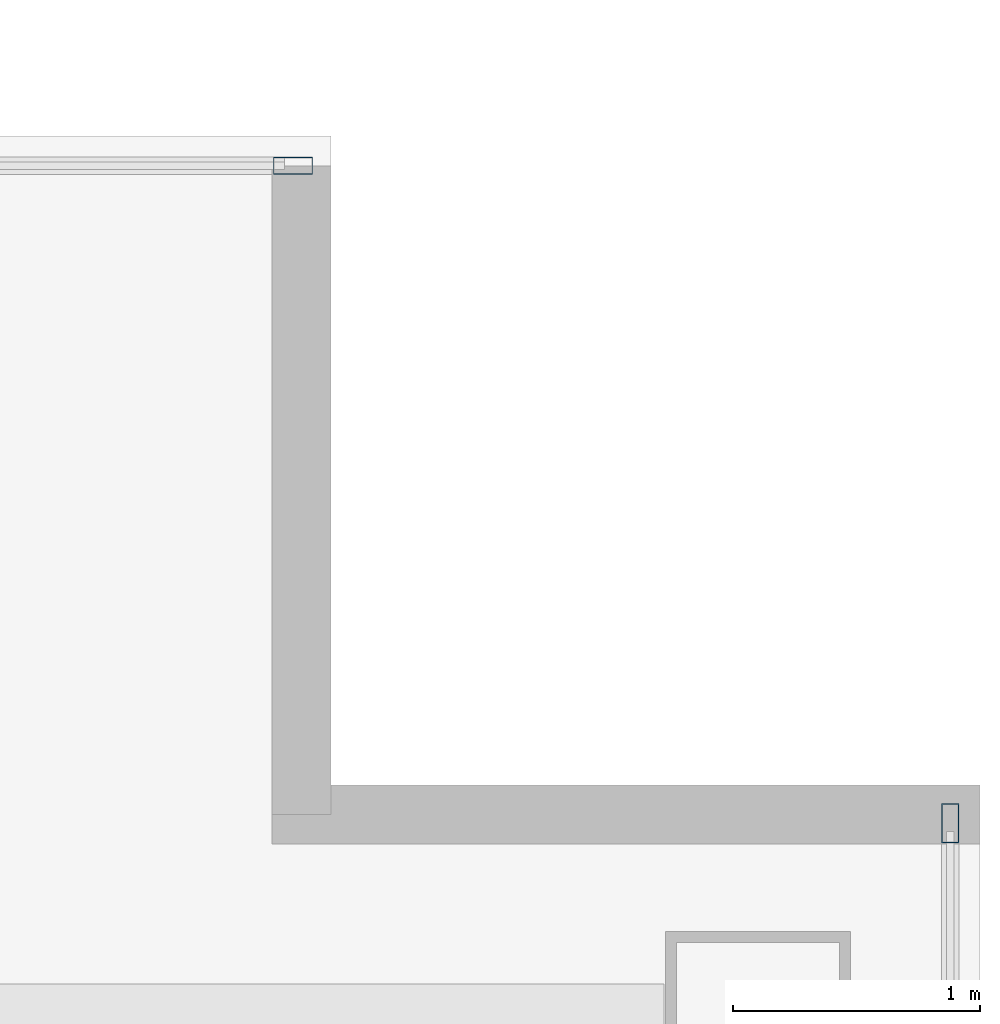
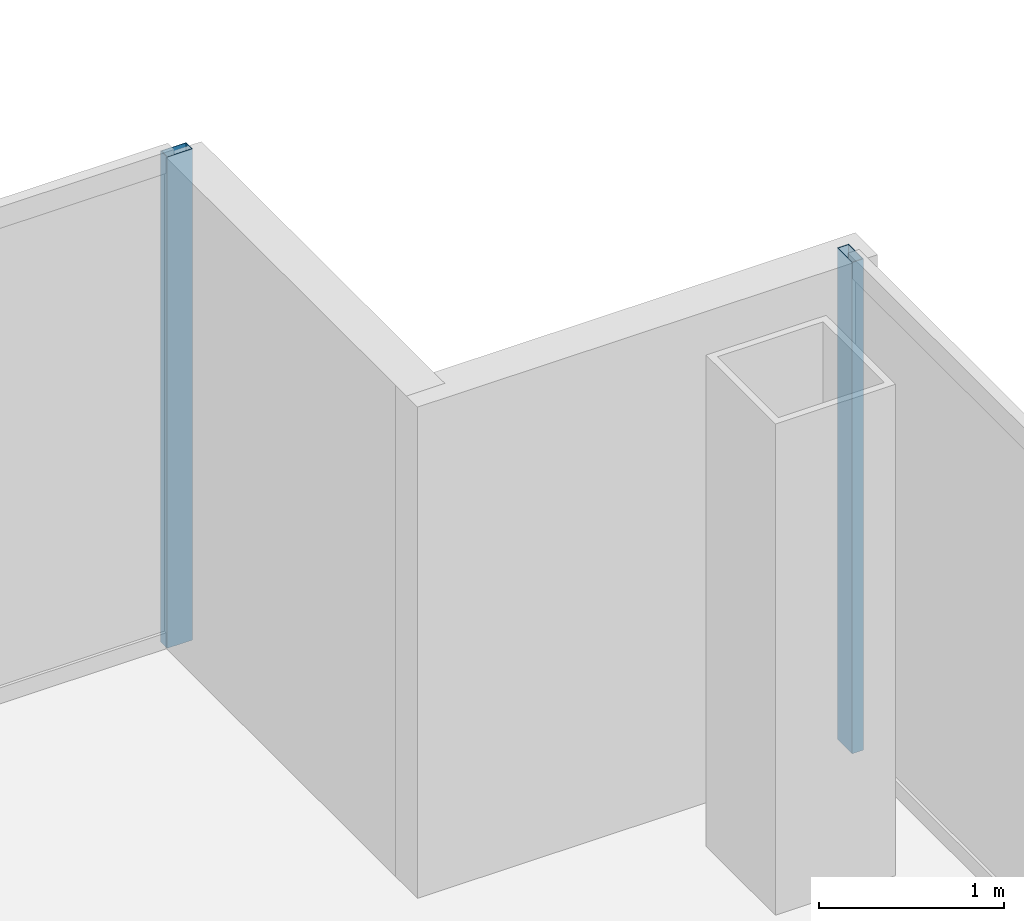
# One storey, part 16 of 23: 2 members, 2 elements without a shape of their own.
"""IFC4 building model written with IfcOpenShell, lengths in metres."""

from ifc_helpers import new_model, si_unit, direction, frame, origin, origin_2d, place, context, subcontext, project, spatial, hollow_rectangle, extrude, material, material_profile, profile_set, type_object, element, aggregate, save


model = new_model("IFC4")

# Units and contexts
model_context = context("Model", 3, precision=1e-05, world=origin(), true_north=direction((0.0, 1.0)))
body_context = subcontext(model_context, "Body", "Model", "MODEL_VIEW")
ifc_project = project(units=[si_unit("LENGTHUNIT", "METRE"), si_unit("AREAUNIT", "SQUARE_METRE"), si_unit("VOLUMEUNIT", "CUBIC_METRE"), si_unit("PLANEANGLEUNIT", "RADIAN"), si_unit("MASSUNIT", "GRAM", prefix="KILO")], contexts=[model_context])

# Site, building, storey
site_placement = place(None, origin())
site = spatial("IfcSite", under=ifc_project, at=site_placement, CompositionType="ELEMENT")
building_placement = place(site_placement, origin())
building = spatial("IfcBuilding", under=site, at=building_placement, Name="Cobrela Telecom Tower", CompositionType="ELEMENT")
storey_placement = place(building_placement, frame((0.0, 0.0, 211.75)))
storey = spatial("IfcBuildingStorey", under=building, at=storey_placement, Name="L54", CompositionType="ELEMENT", Elevation=211.75)

# Curtain wall, member
ifc_material = material(Name="Anodized Bronze Aluminium 6063-T6", Category="aluminium")
curtain_wall_type = type_object("IfcCurtainWallType", Name="CW-SYS-OFF-LO", PredefinedType="USERDEFINED", material=ifc_material)
curtain_wall_1_placement = place(storey_placement, origin())
curtain_wall_1 = element("IfcCurtainWall", 1, at=curtain_wall_1_placement, inside=storey, type_object=curtain_wall_type, Name="L54 Unitised Bronze Curtain Wall 11", ObjectType="UNITISED CURTAIN WALL", PredefinedType="USERDEFINED")
ifc_material_profile = material_profile(ifc_material, hollow_rectangle(XDim=0.070068359375, YDim=0.159912109375, WallThickness=0.00390625, at=origin_2d()), Name="ALU 70x160x4")
ifc_profile_set = profile_set([ifc_material_profile], Name="Anodized Bronze Aluminium 6063-T6")
member_type = type_object("IfcMemberType", Name="CW-SYS-OFF-LO-MUL", PredefinedType="MULLION", material=ifc_profile_set)
member_1_placement = place(storey_placement, frame((41.215087890625, 25.080078125, 0.0), z_axis=(0.0, 0.0, 1.0), x_axis=(0.0, 1.0, 0.0)))
member_1 = element("IfcMember", 2, at=member_1_placement, type_object=member_type, Name="CW-OFF-LO mullion 3", PredefinedType="MULLION", context=body_context, shape_type="SweptSolid", body=[
    extrude(hollow_rectangle(XDim=0.070068359375, YDim=0.159912109375, WallThickness=0.00390625, at=origin_2d()), origin(), (0.0, 0.0, 1.0), 3.239990234375),
])
aggregate(curtain_wall_1, [member_1])

curtain_wall_2_placement = place(storey_placement, origin())
curtain_wall_2 = element("IfcCurtainWall", 3, at=curtain_wall_2_placement, inside=storey, type_object=curtain_wall_type, Name="L54 Unitised Bronze Curtain Wall 14", ObjectType="UNITISED CURTAIN WALL", PredefinedType="USERDEFINED")
member_2_placement = place(storey_placement, frame((43.8798828125, 22.4150390625, 0.0), z_axis=(0.0, 0.0, 1.0), x_axis=(1.0, 0.0, 0.0)))
member_2 = element("IfcMember", 4, at=member_2_placement, type_object=member_type, Name="CW-OFF-LO mullion 1", PredefinedType="MULLION", context=body_context, shape_type="SweptSolid", body=[
    extrude(hollow_rectangle(XDim=0.070068359375, YDim=0.159912109375, WallThickness=0.00390625, at=origin_2d()), origin(), (0.0, 0.0, 1.0), 3.239990234375),
])
aggregate(curtain_wall_2, [member_2])

save(model, "model.ifc")
